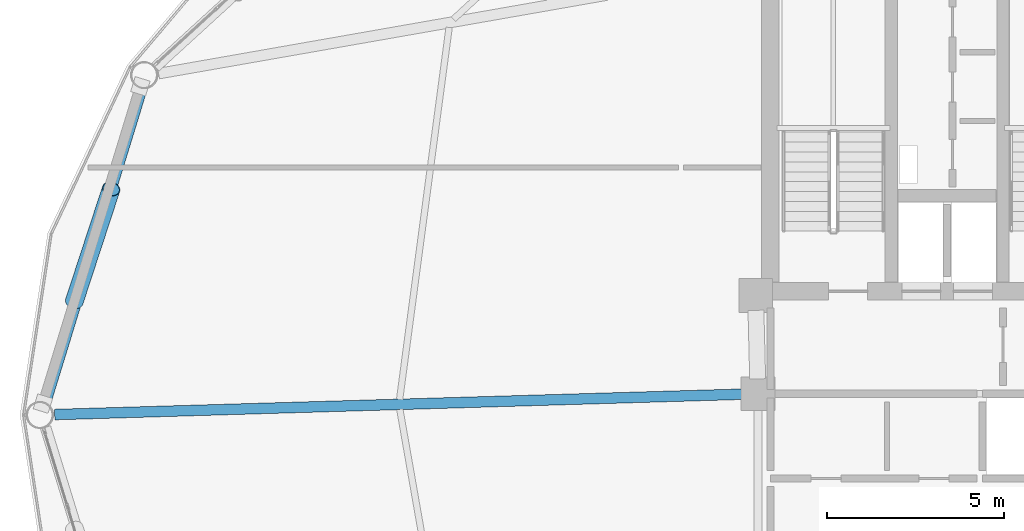
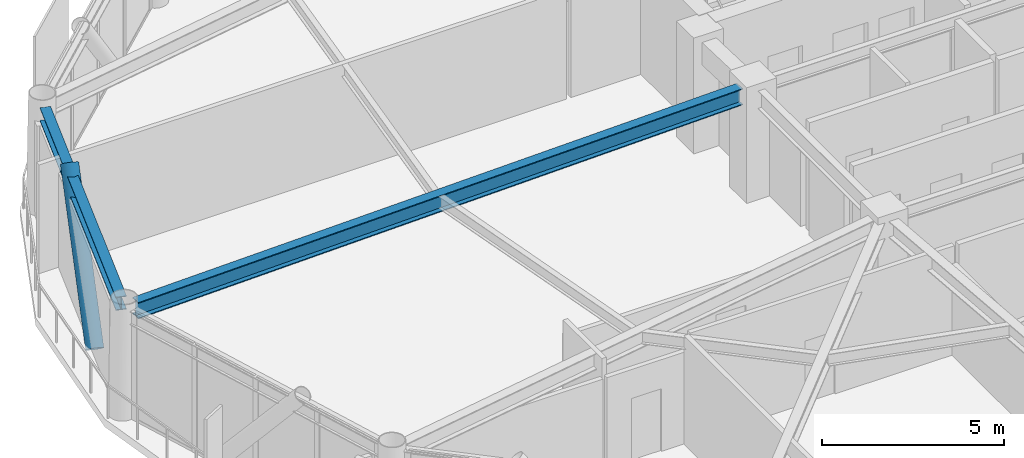
# One storey, part 9 of 25: 2 beams, 1 member.
"""IFC4 building model written with IfcOpenShell, lengths in metres."""

from ifc_helpers import new_model, si_unit, direction, frame, origin, origin_2d, place, context, subcontext, project, spatial, hollow_circle, i_section, extrude, material, material_profile, profile_set, type_object, element, save


model = new_model("IFC4")

# Units and contexts
model_context = context("Model", 3, precision=1e-05, world=origin(), true_north=direction((0.0, 1.0)))
body_context = subcontext(model_context, "Body", "Model", "MODEL_VIEW")
ifc_project = project(units=[si_unit("LENGTHUNIT", "METRE"), si_unit("AREAUNIT", "SQUARE_METRE"), si_unit("VOLUMEUNIT", "CUBIC_METRE"), si_unit("PLANEANGLEUNIT", "RADIAN"), si_unit("MASSUNIT", "GRAM", prefix="KILO")], contexts=[model_context])

# Site, building, storey
site_placement = place(None, origin())
site = spatial("IfcSite", under=ifc_project, at=site_placement, CompositionType="ELEMENT")
building_placement = place(site_placement, origin())
building = spatial("IfcBuilding", under=site, at=building_placement, Name="Varnakorn Sky Granary", CompositionType="ELEMENT")
storey_placement = place(building_placement, frame((0.0, 0.0, 126.60009765625)))
storey = spatial("IfcBuildingStorey", under=building, at=storey_placement, Name="L31", CompositionType="ELEMENT", Elevation=126.60009765625)

# Beams
ifc_material_1 = material(Name="Steel S355JR", Category="steel")
ifc_material_profile_1 = material_profile(ifc_material_1, i_section(OverallWidth=0.300048828125, OverallDepth=0.550048828125, WebThickness=0.014892578125, FlangeThickness=0.029052734375, at=origin_2d()), Name="HE 550 B")
ifc_profile_set_1 = profile_set([ifc_material_profile_1], Name="Steel S355JR")
beam_type_1 = type_object("IfcBeamType", Name="BM-RAD-Z3", PredefinedType="BEAM", material=ifc_profile_set_1)
beam_1_placement = place(storey_placement, frame((-2.769775390625, 0.587646484375, 3.364990234375), z_axis=(-0.999561822892, -0.029600037439, 0.0), x_axis=(0.029600037439, -0.999561822892, 0.0)))
element("IfcBeam", 1, at=beam_1_placement, inside=storey, type_object=beam_type_1, Name="Radial Floor Girder RG07 L31", PredefinedType="BEAM", context=body_context, shape_type="SweptSolid", body=[
    extrude(i_section(OverallWidth=0.300048828125, OverallDepth=0.550048828125, WebThickness=0.014892578125, FlangeThickness=0.029052734375, at=origin_2d()), origin(), (0.0, 0.0, 1.0), 19.489990234375),
])
ifc_material_profile_2 = material_profile(ifc_material_1, i_section(OverallWidth=0.300048828125, OverallDepth=0.449951171875, WebThickness=0.013916015625, FlangeThickness=0.02587890625, at=origin_2d()), Name="HE 450 B")
ifc_profile_set_2 = profile_set([ifc_material_profile_2], Name="Steel S355JR")
beam_type_2 = type_object("IfcBeamType", Name="BM-SPD-Z3", PredefinedType="SPANDREL", material=ifc_profile_set_2)
beam_2_placement = place(storey_placement, frame((-19.7783203125, 9.24560546875, 3.414794921875), z_axis=(-0.293501370749, -0.955958652541, 0.0), x_axis=(0.955958652541, -0.293501370749, 0.0)))
element("IfcBeam", 2, at=beam_2_placement, inside=storey, type_object=beam_type_2, Name="Perimeter Spandrel Ring Beam RB06 L31", PredefinedType="SPANDREL", context=body_context, shape_type="SweptSolid", body=[
    extrude(i_section(OverallWidth=0.300048828125, OverallDepth=0.449951171875, WebThickness=0.013916015625, FlangeThickness=0.02587890625, at=origin_2d()), origin(), (0.0, 0.0, 1.0), 9.3056640625),
])

# Member
ifc_material_2 = material(Name="Steel S460M", Category="steel")
ifc_material_profile_3 = material_profile(ifc_material_2, hollow_circle(Radius=0.25390625, WallThickness=0.01806640625, at=origin_2d()), Name="CHS 508x18")
ifc_profile_set_3 = profile_set([ifc_material_profile_3], Name="Steel S460M")
member_type = type_object("IfcMemberType", Name="MB-DIAG-T2", PredefinedType="BRACE", material=ifc_profile_set_3)
member_placement = place(storey_placement, frame((-21.697998046875, 3.20654296875, -0.130126953125), z_axis=(0.202508200992, 0.618167991256, 0.759512187603), x_axis=(-0.950306802249, 0.31131492351, 0.0)))
element("IfcMember", 3, at=member_placement, inside=storey, type_object=member_type, Name="Perimeter CHS Diagrid Brace DG06 L31", PredefinedType="BRACE", context=body_context, shape_type="SweptSolid", body=[
    extrude(hollow_circle(Radius=0.25390625, WallThickness=0.01806640625, at=origin_2d()), origin(), (0.0, 0.0, 1.0), 5.1611328125),
])

save(model, "model.ifc")
